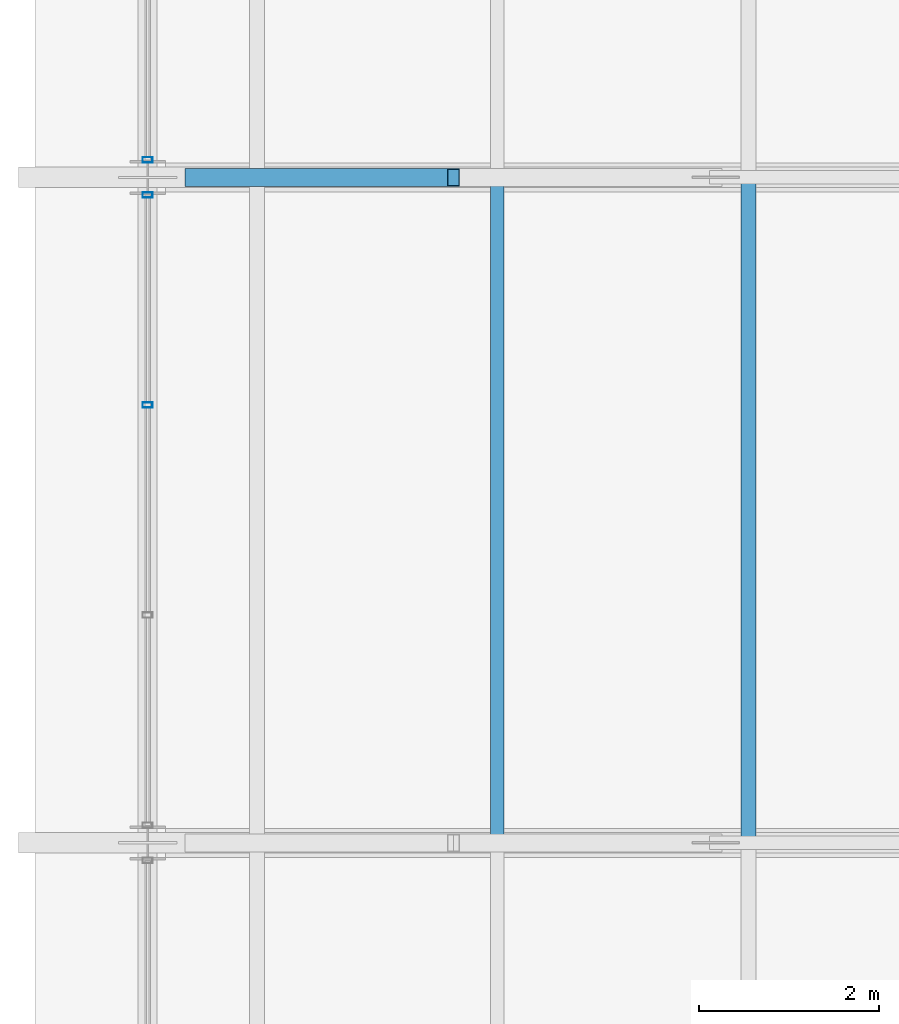
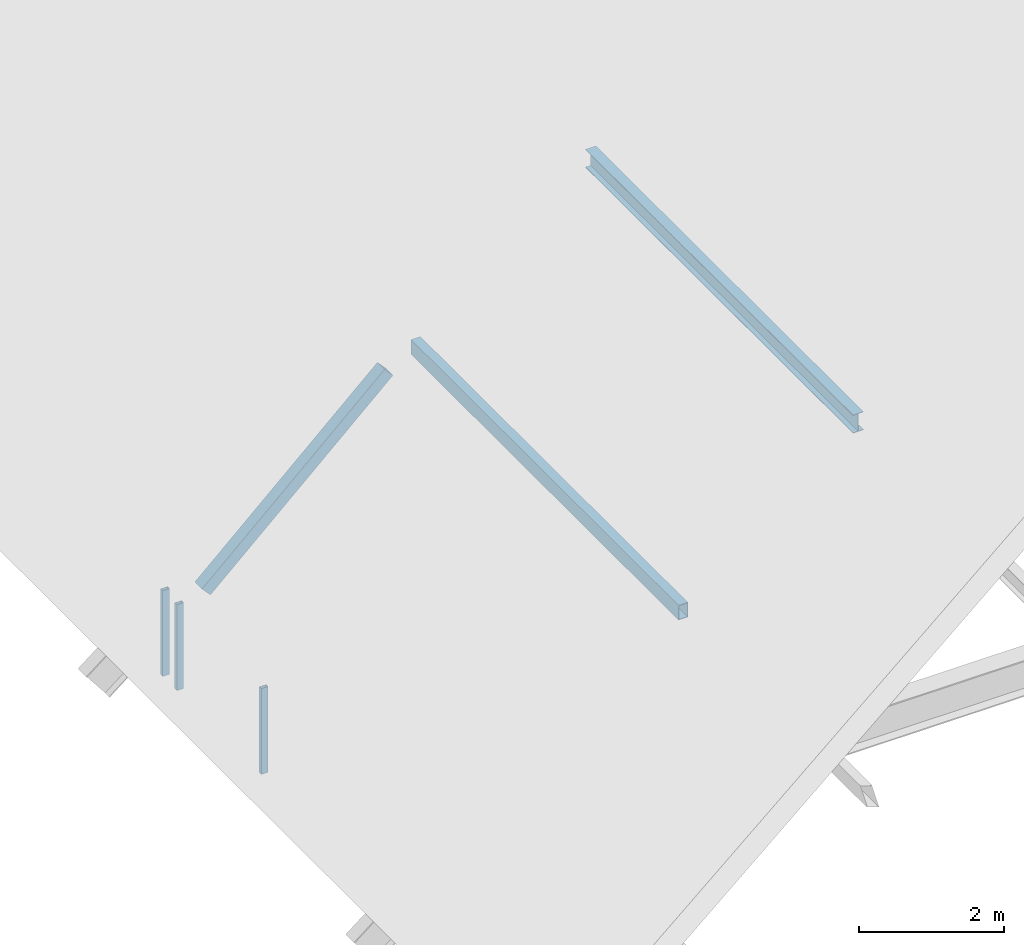
# One storey, part 26 of 44: 6 members, 2 elements without a shape of their own.
"""IFC4 building model written with IfcOpenShell, lengths in metres."""

from ifc_helpers import new_model, si_unit, direction, frame, origin, origin_2d, place, context, subcontext, project, spatial, hollow_rectangle, i_section, extrude, material, material_profile, profile_set, type_object, element, aggregate, save


model = new_model("IFC4")

# Units and contexts
model_context = context("Model", 3, precision=1e-05, world=origin(), true_north=direction((0.0, 1.0)))
body_context = subcontext(model_context, "Body", "Model", "MODEL_VIEW")
ifc_project = project(units=[si_unit("LENGTHUNIT", "METRE"), si_unit("AREAUNIT", "SQUARE_METRE"), si_unit("VOLUMEUNIT", "CUBIC_METRE"), si_unit("PLANEANGLEUNIT", "RADIAN"), si_unit("MASSUNIT", "GRAM", prefix="KILO")], contexts=[model_context])

# Site, building, storey
site_placement = place(None, origin())
site = spatial("IfcSite", under=ifc_project, at=site_placement, CompositionType="ELEMENT")
building_placement = place(site_placement, origin())
building = spatial("IfcBuilding", under=site, at=building_placement, Name="Cimatlan Art Gallery", CompositionType="ELEMENT")
storey_placement = place(building_placement, frame((0.0, 0.0, 26.39990234375)))
storey = spatial("IfcBuildingStorey", under=building, at=storey_placement, Name="Roof", CompositionType="ELEMENT", Elevation=26.39990234375)

# Curtain wall, members
ifc_material_1 = material(Name="Anodised bronze unitised curtain wall")
curtain_wall_type = type_object("IfcCurtainWallType", Name="CW-V-07010X01450-B3", PredefinedType="NOTDEFINED", material=ifc_material_1)
curtain_wall_1_placement = place(storey_placement, origin())
curtain_wall_1 = element("IfcCurtainWall", 1, at=curtain_wall_1_placement, inside=storey, type_object=curtain_wall_type, Name="CW-CRW-W-08", PredefinedType="NOTDEFINED")
ifc_material_2 = material(Name="Anodised bronze aluminium 6063-T6", Category="aluminium")
ifc_material_profile_1 = material_profile(ifc_material_2, hollow_rectangle(XDim=0.06005859375, YDim=0.110107421875, WallThickness=0.00341796875, at=origin_2d()), Name="ALU60X110X3")
ifc_profile_set_1 = profile_set([ifc_material_profile_1], Name="Anodised bronze aluminium 6063-T6")
member_type_1 = type_object("IfcMemberType", Name="CW-MUL-110", PredefinedType="MULLION", material=ifc_profile_set_1)
member_1_placement = place(storey_placement, frame((74.89990234375, 65.768310546875, 0.0), z_axis=(0.0, 0.0, 1.0), x_axis=(0.0, 1.0, 0.0)))
member_1 = element("IfcMember", 2, at=member_1_placement, type_object=member_type_1, Name="CW-CRW-W-08-M3", PredefinedType="MULLION", context=body_context, shape_type="SweptSolid", body=[
    extrude(hollow_rectangle(XDim=0.06005859375, YDim=0.110107421875, WallThickness=0.00341796875, at=origin_2d()), origin(), (0.0, 0.0, 1.0), 1.4501953125),
])
member_2_placement = place(storey_placement, frame((74.89990234375, 68.10498046875, 0.0), z_axis=(0.0, 0.0, 1.0), x_axis=(0.0, 1.0, 0.0)))
member_2 = element("IfcMember", 3, at=member_2_placement, type_object=member_type_1, Name="CW-CRW-W-08-M4", PredefinedType="MULLION", context=body_context, shape_type="SweptSolid", body=[
    extrude(hollow_rectangle(XDim=0.06005859375, YDim=0.110107421875, WallThickness=0.00341796875, at=origin_2d()), origin(), (0.0, 0.0, 1.0), 1.4501953125),
])
aggregate(curtain_wall_1, [member_1, member_2])

# Curtain wall, member
curtain_wall_2_placement = place(storey_placement, origin())
curtain_wall_2 = element("IfcCurtainWall", 4, at=curtain_wall_2_placement, inside=storey, type_object=curtain_wall_type, Name="CW-CRW-W-09", PredefinedType="NOTDEFINED")
member_3_placement = place(storey_placement, frame((74.89990234375, 68.4951171875, 0.0), z_axis=(0.0, 0.0, 1.0), x_axis=(0.0, 1.0, 0.0)))
member_3 = element("IfcMember", 5, at=member_3_placement, type_object=member_type_1, Name="CW-CRW-W-09-M1", PredefinedType="MULLION", context=body_context, shape_type="SweptSolid", body=[
    extrude(hollow_rectangle(XDim=0.06005859375, YDim=0.110107421875, WallThickness=0.00341796875, at=origin_2d()), origin(), (0.0, 0.0, 1.0), 1.4501953125),
])
aggregate(curtain_wall_2, [member_3])

# Members
ifc_material_3 = material(Name="Steel ASTM A500 Grade C", Category="steel")
ifc_material_profile_2 = material_profile(ifc_material_3, hollow_rectangle(XDim=0.14990234375, YDim=0.25, WallThickness=0.010009765625, at=origin_2d()), Name="HSS250X150X10")
ifc_profile_set_2 = profile_set([ifc_material_profile_2], Name="Steel ASTM A500 Grade C")
member_type_2 = type_object("IfcMemberType", Name="MBR-PUR-C250", PredefinedType="PURLIN", material=ifc_profile_set_2)
member_4_placement = place(storey_placement, frame((78.7880859375, 60.89990234375, 4.31201171875), z_axis=(0.0, 1.0, 0.0), x_axis=(-1.0, 0.0, 0.0)))
element("IfcMember", 6, at=member_4_placement, inside=storey, type_object=member_type_2, Name="PUR-V1-B6-W3", PredefinedType="PURLIN", context=body_context, shape_type="SweptSolid", body=[
    extrude(hollow_rectangle(XDim=0.14990234375, YDim=0.25, WallThickness=0.010009765625, at=origin_2d()), origin(), (0.0, 0.0, 1.0), 7.400146484375),
])
ifc_material_4 = material(Name="Steel ASTM A992 Grade 50", Category="steel")
ifc_material_profile_3 = material_profile(ifc_material_4, i_section(OverallWidth=0.1650390625, OverallDepth=0.31005859375, WebThickness=0.005859375, FlangeThickness=0.009765625, at=origin_2d()), Name="W12X26")
ifc_profile_set_3 = profile_set([ifc_material_profile_3], Name="Steel ASTM A992 Grade 50")
member_type_3 = type_object("IfcMemberType", Name="MBR-PUR-W12", PredefinedType="PURLIN", material=ifc_profile_set_3)
member_5_placement = place(storey_placement, frame((81.58251953125, 60.89990234375, 6.52001953125), z_axis=(0.0, 1.0, 0.0), x_axis=(-1.0, 0.0, 0.0)))
element("IfcMember", 7, at=member_5_placement, inside=storey, type_object=member_type_3, Name="PUR-V1-B6-W2", PredefinedType="PURLIN", context=body_context, shape_type="SweptSolid", body=[
    extrude(i_section(OverallWidth=0.1650390625, OverallDepth=0.31005859375, WebThickness=0.005859375, FlangeThickness=0.009765625, at=origin_2d()), origin(), (0.0, 0.0, 1.0), 7.400146484375),
])
ifc_material_profile_4 = material_profile(ifc_material_3, hollow_rectangle(XDim=0.199951171875, YDim=0.199951171875, WallThickness=0.010009765625, at=origin_2d()), Name="HSS200X200X10")
ifc_profile_set_4 = profile_set([ifc_material_profile_4], Name="Steel ASTM A500 Grade C")
member_type_4 = type_object("IfcMemberType", Name="MBR-TRS-DIAG-1", PredefinedType="BRACE", material=ifc_profile_set_4)
member_6_placement = place(storey_placement, frame((75.385986328125, 68.300048828125, 1.400146484375), z_axis=(0.735270574228, 0.0, 0.677773695768), x_axis=(0.0, 1.0, 0.0)))
element("IfcMember", 8, at=member_6_placement, inside=storey, type_object=member_type_4, Name="TRS-07-DW-1", PredefinedType="BRACE", context=body_context, shape_type="SweptSolid", body=[
    extrude(hollow_rectangle(XDim=0.199951171875, YDim=0.199951171875, WallThickness=0.010009765625, at=origin_2d()), origin(), (0.0, 0.0, 1.0), 3.9658203125),
])

save(model, "model.ifc")
